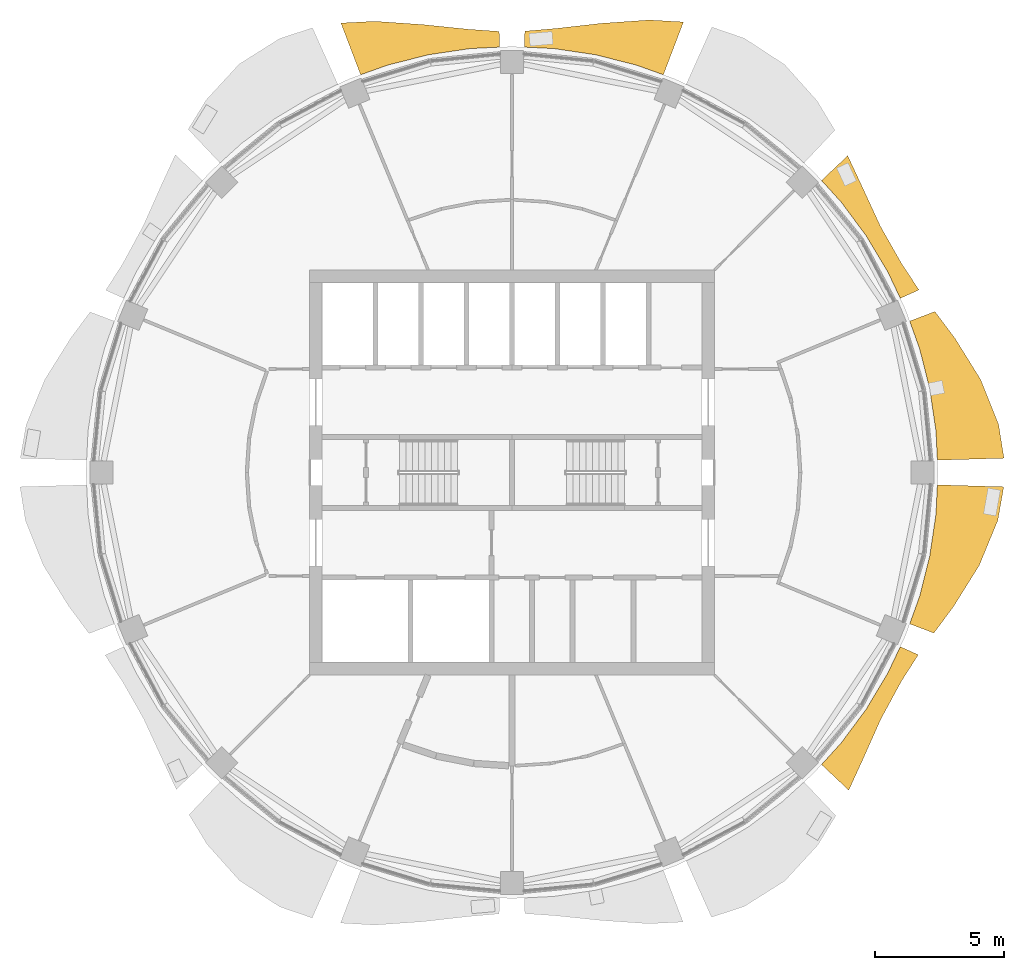
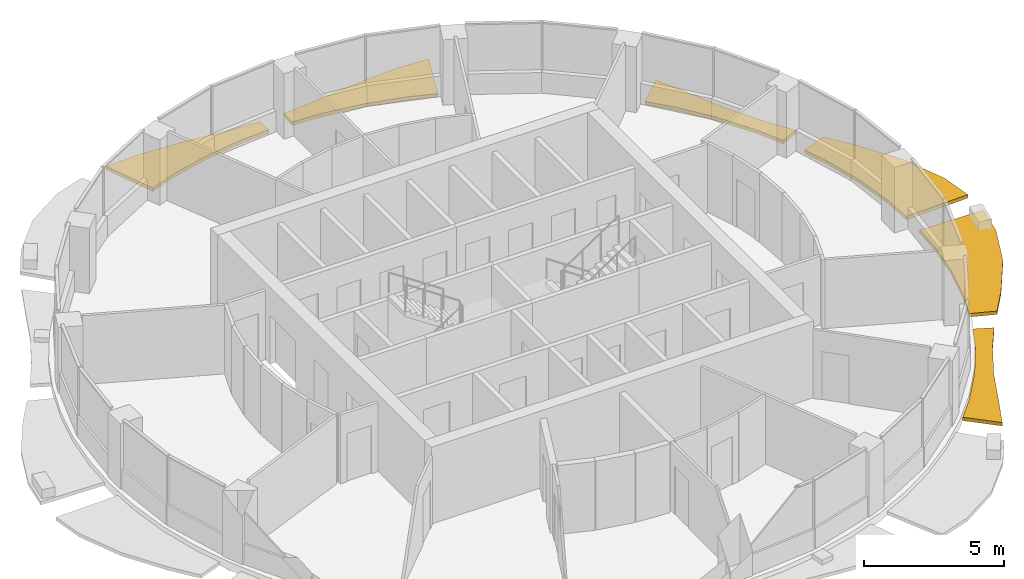
# One storey, part 14 of 15: 6 shading devices.
"""IFC4 building model written with IfcOpenShell, lengths in metres."""

from ifc_helpers import new_model, si_unit, direction, frame, origin, place, context, subcontext, project, spatial, polyline, outline, extrude, material, type_object, element, save


model = new_model("IFC4")

# Units and contexts
model_context = context("Model", 3, precision=1e-05, world=origin(), true_north=direction((0.0, 1.0)))
body_context = subcontext(model_context, "Body", "Model", "MODEL_VIEW")
ifc_project = project(units=[si_unit("LENGTHUNIT", "METRE"), si_unit("AREAUNIT", "SQUARE_METRE"), si_unit("VOLUMEUNIT", "CUBIC_METRE"), si_unit("PLANEANGLEUNIT", "RADIAN"), si_unit("MASSUNIT", "GRAM", prefix="KILO")], contexts=[model_context])

# Site, building, storey
site_placement = place(None, origin())
site = spatial("IfcSite", under=ifc_project, at=site_placement, CompositionType="ELEMENT")
building_placement = place(site_placement, origin())
building = spatial("IfcBuilding", under=site, at=building_placement, Name="Polderwave Tower", CompositionType="ELEMENT")
storey_placement = place(building_placement, frame((0.0, 0.0, 211.10009765625)))
storey = spatial("IfcBuildingStorey", under=building, at=storey_placement, Name="L57", CompositionType="ELEMENT", Elevation=211.10009765625)

# Shading devices
ifc_material = material(Name="Terracotta", Category="masonry")
shading_device_type = type_object("IfcShadingDeviceType", Name="Terracotta sunshade band", PredefinedType="USERDEFINED", material=ifc_material)
shading_device_1_placement = place(storey_placement, frame((0.0, 0.0, -0.35009765625)))
element("IfcShadingDevice", 1, at=shading_device_1_placement, inside=storey, type_object=shading_device_type, Name="Sunshade band L57 1", ObjectType="SUNSHADE", PredefinedType="USERDEFINED", context=body_context, shape_type="SweptSolid", body=[
    extrude(outline(polyline([(16.5263671875, 0.479736328125), (16.47021484375, 1.622314453125), (16.23193359375, 3.228759765625), (15.83740234375, 4.80419921875), (15.451904296875, 5.881103515625), (16.431884765625, 6.254150390625), (17.207275390625, 5.2197265625), (18.200927734375, 3.620361328125), (18.90478515625, 1.862060546875), (19.114501953125, 0.554931640625), (16.5263671875, 0.479736328125)])), origin(), (0.0, 0.0, 1.0), 0.14990234375),
])
shading_device_2_placement = place(storey_placement, frame((0.0, 0.0, -0.35009765625)))
element("IfcShadingDevice", 2, at=shading_device_2_placement, inside=storey, type_object=shading_device_type, Name="Sunshade band L57 2", ObjectType="SUNSHADE", PredefinedType="USERDEFINED", context=body_context, shape_type="SweptSolid", body=[
    extrude(outline(polyline([(15.084716796875, 6.767578125), (14.595703125, 7.801513671875), (13.7607421875, 9.194580078125), (12.793212890625, 10.499267578125), (12.025146484375, 11.3466796875), (13.043701171875, 12.3076171875), (13.58349609375, 11.147705078125), (14.314697265625, 9.564697265625), (15.14697265625, 8.09619140625), (15.81201171875, 7.093994140625), (15.084716796875, 6.767578125)])), origin(), (0.0, 0.0, 1.0), 0.14990234375),
])
shading_device_3_placement = place(storey_placement, frame((0.0, 0.0, -0.35009765625)))
element("IfcShadingDevice", 3, at=shading_device_3_placement, inside=storey, type_object=shading_device_type, Name="Sunshade band L57 4", ObjectType="SUNSHADE", PredefinedType="USERDEFINED", context=body_context, shape_type="SweptSolid", body=[
    extrude(outline(polyline([(5.881103515625, 15.451904296875), (4.80419921875, 15.83740234375), (3.228759765625, 16.23193359375), (1.622314453125, 16.47021484375), (0.479736328125, 16.5263671875), (0.497802734375, 17.146240234375), (1.698974609375, 17.25048828125), (3.47119140625, 17.450439453125), (5.3330078125, 17.580322265625), (6.662109375, 17.504150390625), (5.881103515625, 15.451904296875)])), origin(), (0.0, 0.0, 1.0), 0.14990234375),
])
shading_device_4_placement = place(storey_placement, frame((0.0, 0.0, -0.35009765625)))
element("IfcShadingDevice", 4, at=shading_device_4_placement, inside=storey, type_object=shading_device_type, Name="Sunshade band L57 5", ObjectType="SUNSHADE", PredefinedType="USERDEFINED", context=body_context, shape_type="SweptSolid", body=[
    extrude(outline(polyline([(-0.479736328125, 16.5263671875), (-1.622314453125, 16.47021484375), (-3.228759765625, 16.23193359375), (-4.80419921875, 15.83740234375), (-5.881103515625, 15.451904296875), (-6.646484375, 17.462890625), (-5.317626953125, 17.52978515625), (-3.46142578125, 17.401611328125), (-1.696044921875, 17.220458984375), (-0.49755859375, 17.136962890625), (-0.479736328125, 16.5263671875)])), origin(), (0.0, 0.0, 1.0), 0.14990234375),
])
shading_device_5_placement = place(storey_placement, frame((0.0, 0.0, -0.35009765625)))
element("IfcShadingDevice", 5, at=shading_device_5_placement, inside=storey, type_object=shading_device_type, Name="Sunshade band L57 15", ObjectType="SUNSHADE", PredefinedType="USERDEFINED", context=body_context, shape_type="SweptSolid", body=[
    extrude(outline(polyline([(12.025146484375, -11.3466796875), (12.793212890625, -10.499267578125), (13.7607421875, -9.194580078125), (14.595703125, -7.801513671875), (15.084716796875, -6.767578125), (15.78369140625, -7.081298828125), (15.1376953125, -8.09130859375), (14.331787109375, -9.576171875), (13.6181640625, -11.17626953125), (13.082275390625, -12.343994140625), (12.025146484375, -11.3466796875)])), origin(), (0.0, 0.0, 1.0), 0.14990234375),
])
shading_device_6_placement = place(storey_placement, frame((0.0, 0.0, -0.35009765625)))
element("IfcShadingDevice", 6, at=shading_device_6_placement, inside=storey, type_object=shading_device_type, Name="Sunshade band L57 16", ObjectType="SUNSHADE", PredefinedType="USERDEFINED", context=body_context, shape_type="SweptSolid", body=[
    extrude(outline(polyline([(15.451904296875, -5.881103515625), (15.83740234375, -4.80419921875), (16.23193359375, -3.228759765625), (16.47021484375, -1.622314453125), (16.5263671875, -0.479736328125), (19.105224609375, -0.5546875), (18.874755859375, -1.85888671875), (18.152099609375, -3.610595703125), (17.156494140625, -5.204345703125), (16.390625, -6.23828125), (15.451904296875, -5.881103515625)])), origin(), (0.0, 0.0, 1.0), 0.14990234375),
])

save(model, "model.ifc")
